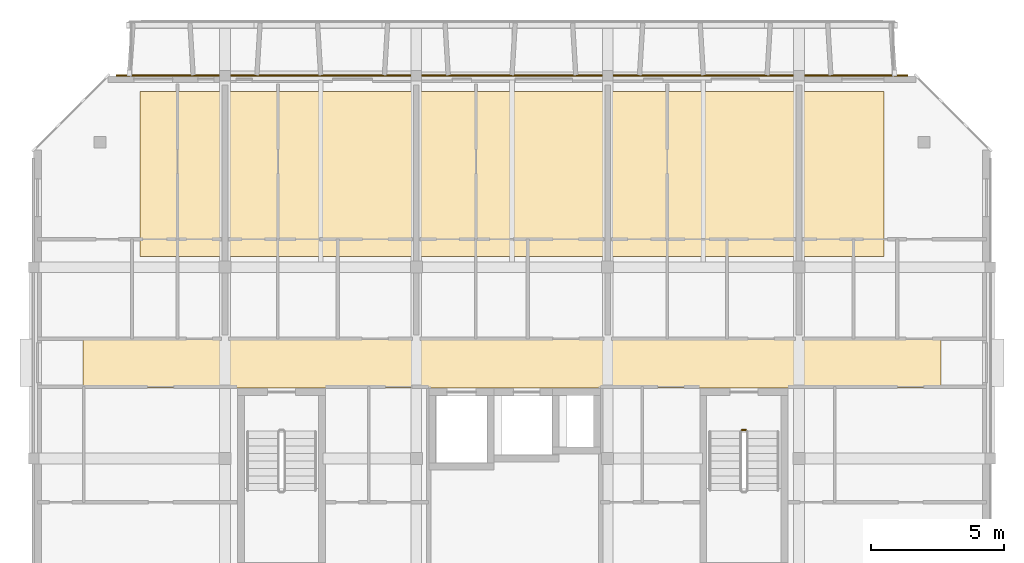
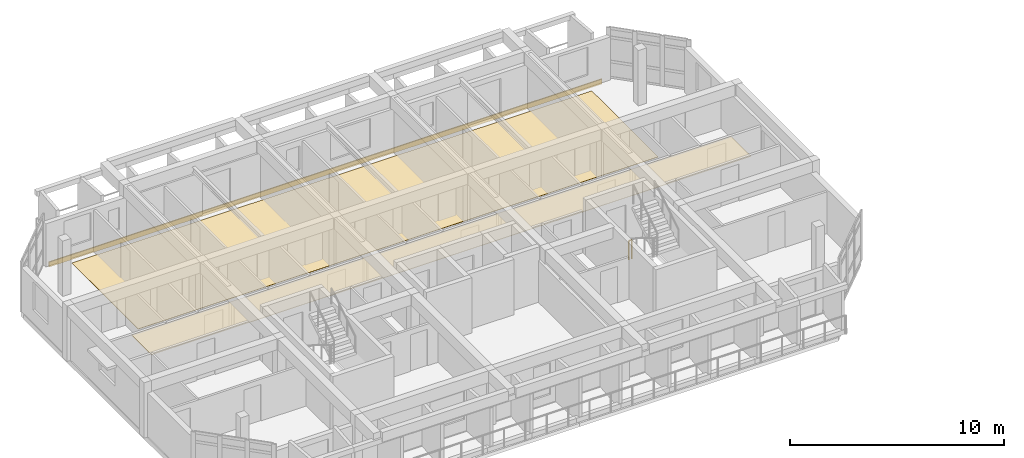
# One storey, part 18 of 19: 3 coverings, 1 railing.
"""IFC4 building model written with IfcOpenShell, lengths in metres."""

from ifc_helpers import new_model, si_unit, direction, frame, origin, origin_2d, place, context, subcontext, project, spatial, polyline, rectangle, circle, outline, extrude, material, layer, layer_set, type_object, element, save


model = new_model("IFC4")

# Units and contexts
model_context = context("Model", 3, precision=1e-05, world=origin(), true_north=direction((0.0, 1.0)))
body_context = subcontext(model_context, "Body", "Model", "MODEL_VIEW")
ifc_project = project(units=[si_unit("LENGTHUNIT", "METRE"), si_unit("AREAUNIT", "SQUARE_METRE"), si_unit("VOLUMEUNIT", "CUBIC_METRE"), si_unit("PLANEANGLEUNIT", "RADIAN"), si_unit("MASSUNIT", "GRAM", prefix="KILO")], contexts=[model_context])

# Site, building, storey
site_placement = place(None, origin())
site = spatial("IfcSite", under=ifc_project, at=site_placement, CompositionType="ELEMENT")
building_placement = place(site_placement, origin())
building = spatial("IfcBuilding", under=site, at=building_placement, Name="Ochrevale Crest", CompositionType="ELEMENT")
storey_placement = place(building_placement, frame((0.0, 0.0, 43.35009765625)))
storey = spatial("IfcBuildingStorey", under=building, at=storey_placement, Name="L13", CompositionType="ELEMENT", Elevation=43.35009765625)

# Coverings
ifc_material_1 = material(Name="Gypsum plasterboard", Category="gypsum")
ifc_layer_1 = layer(ifc_material_1, 0.02490234375)
ifc_layer_set_1 = layer_set([ifc_layer_1], Name="Gypsum plasterboard")
covering_type_1 = type_object("IfcCoveringType", Name="COV-CEIL-GYP", PredefinedType="CEILING", material=ifc_layer_set_1)
covering_1_placement = place(storey_placement, frame((0.0, 0.0, 2.27978515625)))
element("IfcCovering", 1, at=covering_1_placement, inside=storey, type_object=covering_type_1, Name="Block D L13 acoustic corridor ceiling", PredefinedType="CEILING", context=body_context, shape_type="SweptSolid", body=[
    extrude(outline(polyline([(131.449951171875, 81.860107421875), (163.75, 81.860107421875), (163.75, 83.739990234375), (131.449951171875, 83.739990234375), (131.449951171875, 81.860107421875)])), origin(), (0.0, 0.0, 1.0), 0.025146484375),
])
ifc_material_2 = material(Name="Glazed terracotta rainscreen tile", Category="masonry")
ifc_layer_2 = layer(ifc_material_2, 0.048095703125)
ifc_layer_set_2 = layer_set([ifc_layer_2], Name="Glazed terracotta rainscreen tile")
covering_type_2 = type_object("IfcCoveringType", Name="COV-CLAD-TER", PredefinedType="CLADDING", material=ifc_layer_set_2)
covering_2_placement = place(storey_placement, frame((147.60009765625, 93.612548828125, -0.26025390625), z_axis=(0.0, 0.0, 1.0), x_axis=(-1.0, 0.0, 0.0)))
element("IfcCovering", 2, at=covering_2_placement, inside=storey, type_object=covering_type_2, Name="Block D L13 terracotta slab-edge spandrel cladding", PredefinedType="CLADDING", context=body_context, shape_type="SweptSolid", body=[
    extrude(rectangle(XDim=29.800048828125, YDim=0.06005859375, at=origin_2d()), origin(), (0.0, 0.0, 1.0), 0.280029296875),
])
ifc_material_3 = material(Name="Engineered spotted-gum hardwood flooring", Category="wood")
ifc_layer_3 = layer(ifc_material_3, 0.02001953125)
ifc_layer_set_3 = layer_set([ifc_layer_3], Name="Engineered spotted-gum hardwood flooring")
covering_type_3 = type_object("IfcCoveringType", Name="COV-FLR-TIM", PredefinedType="FLOORING", material=ifc_layer_set_3)
covering_3_placement = place(storey_placement, origin())
element("IfcCovering", 3, at=covering_3_placement, inside=storey, type_object=covering_type_3, Name="Block D L13 spotted-gum apartment flooring", PredefinedType="FLOORING", context=body_context, shape_type="SweptSolid", body=[
    extrude(outline(polyline([(133.60009765625, 86.800048828125), (161.60009765625, 86.800048828125), (161.60009765625, 93.0), (133.60009765625, 93.0), (133.60009765625, 86.800048828125)])), origin(), (0.0, 0.0, 1.0), 0.02001953125),
])

# Railing
ifc_material_4 = material(Name="Galvanised steel", Category="steel")
railing_type = type_object("IfcRailingType", Name="RL-ST-GUARD", PredefinedType="BALUSTRADE", material=ifc_material_4)
railing_placement = place(storey_placement, frame((156.25, 80.27490234375, 0.0)))
element("IfcRailing", 4, at=railing_placement, inside=storey, type_object=railing_type, Name="L13 ST-D2 stair guard 4", PredefinedType="BALUSTRADE", context=body_context, shape_type="SweptSolid", body=[
    extrude(circle(Radius=0.02392578125, at=origin_2d()), frame((0.0, 0.0, 1.076171875), z_axis=(1.0, 0.0, 0.0), x_axis=(0.0, 1.0, 0.0)), (0.0, 0.0, 1.0), 0.14990234375),
    extrude(circle(Radius=0.02099609375, at=origin_2d()), origin(), (0.0, 0.0, 1.0), 1.052001953125),
    extrude(circle(Radius=0.02099609375, at=origin_2d()), frame((0.14990234375, 0.0, 0.0)), (0.0, 0.0, 1.0), 1.052001953125),
])

save(model, "model.ifc")
